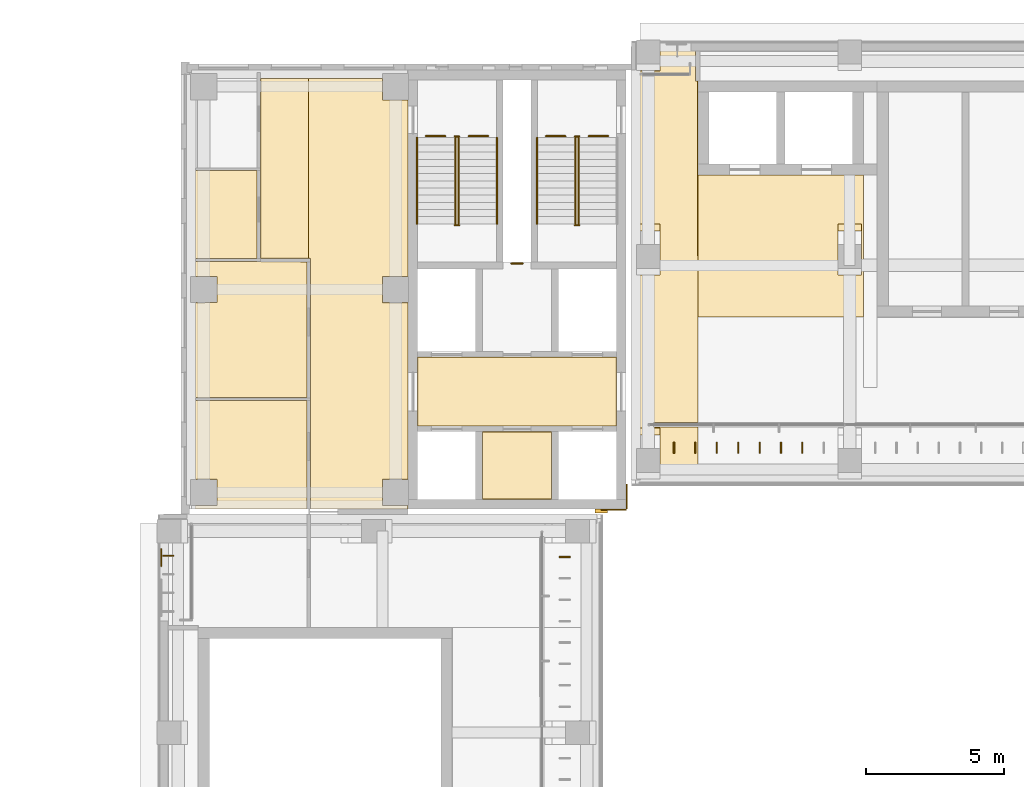
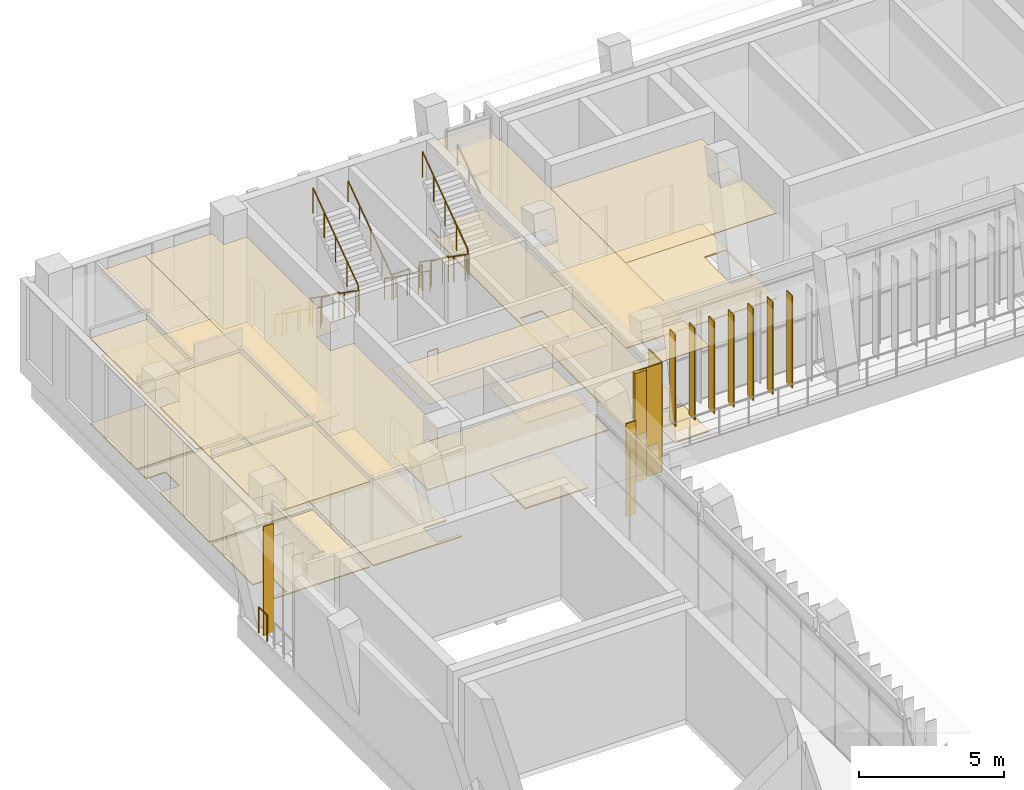
# One storey, part 82 of 92: 21 coverings, 17 railings, 9 shading devices.
"""IFC4 building model written with IfcOpenShell, lengths in metres."""

from ifc_helpers import new_model, si_unit, direction, frame, frame_2d, origin, origin_2d, place, context, subcontext, project, spatial, polyline, rectangle, circle, outline, extrude, material, layer, layer_set, type_object, element, save


model = new_model("IFC4")

# Units and contexts
model_context = context("Model", 3, precision=1e-05, world=origin(), true_north=direction((0.0, 1.0)))
body_context = subcontext(model_context, "Body", "Model", "MODEL_VIEW")
ifc_project = project(units=[si_unit("LENGTHUNIT", "METRE"), si_unit("AREAUNIT", "SQUARE_METRE"), si_unit("VOLUMEUNIT", "CUBIC_METRE"), si_unit("PLANEANGLEUNIT", "RADIAN"), si_unit("MASSUNIT", "GRAM", prefix="KILO")], contexts=[model_context])

# Site, building, storey
site_placement = place(None, origin())
site = spatial("IfcSite", under=ifc_project, at=site_placement, CompositionType="ELEMENT")
building_placement = place(site_placement, origin())
building = spatial("IfcBuilding", under=site, at=building_placement, Name="Lantern Court Media Centre", CompositionType="ELEMENT")
storey_placement = place(building_placement, frame((0.0, 0.0, 4.800048828125)))
storey = spatial("IfcBuildingStorey", under=building, at=storey_placement, Name="L01", CompositionType="ELEMENT", Elevation=4.800048828125)

# Coverings
ifc_material_1 = material(Name="Carpet")
ifc_layer_1 = layer(ifc_material_1, 0.050048828125)
ifc_layer_set_1 = layer_set([ifc_layer_1], Name="Carpet")
covering_type_1 = type_object("IfcCoveringType", Name="Carpet floor finish", PredefinedType="FLOORING", material=ifc_layer_set_1)
covering_1_placement = place(storey_placement, origin())
element("IfcCovering", 1, at=covering_1_placement, inside=storey, type_object=covering_type_1, Name="Production Office 08 floor finish", PredefinedType="FLOORING", context=body_context, shape_type="SweptSolid", body=[
    extrude(outline(polyline([(8.300048828125, 105.06494140625), (12.33251953125, 105.052490234375), (12.33251953125, 100.135009765625), (8.300048828125, 100.135009765625), (8.300048828125, 103.570068359375), (9.080078125, 103.574951171875), (9.079345703125, 104.52734375), (8.300048828125, 104.530029296875), (8.300048828125, 105.06494140625)])), origin(), (0.0, 0.0, 1.0), 0.050048828125),
])
covering_2_placement = place(storey_placement, origin())
element("IfcCovering", 2, at=covering_2_placement, inside=storey, type_object=covering_type_1, Name="Meeting Room 03 floor finish", PredefinedType="FLOORING", context=body_context, shape_type="SweptSolid", body=[
    extrude(outline(polyline([(8.300048828125, 100.02490234375), (12.33251953125, 100.02490234375), (12.33251953125, 96.10009765625), (8.300048828125, 96.10009765625), (8.300048828125, 96.219970703125), (9.080078125, 96.22509765625), (9.078857421875, 97.17822265625), (8.300048828125, 97.179931640625), (8.300048828125, 100.02490234375)])), origin(), (0.0, 0.0, 1.0), 0.050048828125),
])
covering_3_placement = place(storey_placement, origin())
element("IfcCovering", 3, at=covering_3_placement, inside=storey, type_object=covering_type_1, Name="WC Female floor finish", PredefinedType="FLOORING", context=body_context, shape_type="SweptSolid", body=[
    extrude(outline(polyline([(8.300048828125, 108.35498046875), (10.532470703125, 108.35498046875), (10.532470703125, 105.175048828125), (8.300048828125, 105.175048828125), (8.300048828125, 108.35498046875)])), origin(), (0.0, 0.0, 1.0), 0.050048828125),
])
ifc_material_2 = material(Name="Ceramic tile")
ifc_layer_2 = layer(ifc_material_2, 0.050048828125)
ifc_layer_set_2 = layer_set([ifc_layer_2], Name="Ceramic tile")
covering_type_2 = type_object("IfcCoveringType", Name="Ceramic tile floor finish", PredefinedType="FLOORING", material=ifc_layer_set_2)
covering_4_placement = place(storey_placement, origin())
element("IfcCovering", 4, at=covering_4_placement, inside=storey, type_object=covering_type_2, Name="Accessible WC floor finish", PredefinedType="FLOORING", context=body_context, shape_type="SweptSolid", body=[
    extrude(outline(polyline([(21.195068359375, 96.455078125), (18.705078125, 96.455078125), (18.705078125, 98.89501953125), (21.195068359375, 98.89501953125), (21.195068359375, 96.455078125)])), origin(), (0.0, 0.0, 1.0), 0.050048828125),
])

# Railings
ifc_material_3 = material(Name="Powder-coated steel", Category="steel")
railing_type_1 = type_object("IfcRailingType", Name="Floor edge guard 1100", PredefinedType="GUARDRAIL", material=ifc_material_3)
railing_1_placement = place(storey_placement, frame((16.64990234375, 109.609619140625, 0.0)))
element("IfcRailing", 5, at=railing_1_placement, inside=storey, type_object=railing_type_1, Name="L01 opening guard 52", PredefinedType="GUARDRAIL", context=body_context, shape_type="SweptSolid", body=[
    extrude(circle(Radius=0.02392578125, at=origin_2d()), frame((0.0, 0.0, 1.076171875), z_axis=(1.0, 0.0, 0.0), x_axis=(0.0, 1.0, 0.0)), (0.0, 0.0, 1.0), 0.703857421875),
    extrude(circle(Radius=0.02099609375, at=origin_2d()), origin(), (0.0, 0.0, 1.0), 1.052001953125),
    extrude(circle(Radius=0.02099609375, at=origin_2d()), frame((0.703857421875, 0.0, 0.0)), (0.0, 0.0, 1.0), 1.052001953125),
])
for number, where, name in (
    (6, (18.1962890625, 109.609619140625, 0.0), "L01 opening guard 53"),
    (7, (21.0, 109.609619140625, 0.0), "L01 opening guard 54"),
    (8, (22.54638671875, 109.609619140625, 0.0), "L01 opening guard 55"),
):
    element("IfcRailing", number, at=place(storey_placement, frame(where)), inside=storey, type_object=railing_type_1, Name=name, PredefinedType="GUARDRAIL", context=body_context, shape_type="SweptSolid", body=[
        extrude(circle(Radius=0.02392578125, at=origin_2d()), frame((0.0, 0.0, 1.076171875), z_axis=(1.0, 0.0, 0.0), x_axis=(0.0, 1.0, 0.0)), (0.0, 0.0, 1.0), 0.70361328125),
        extrude(circle(Radius=0.02099609375, at=origin_2d()), origin(), (0.0, 0.0, 1.0), 1.052001953125),
        extrude(circle(Radius=0.02099609375, at=origin_2d()), frame((0.70361328125, 0.0, 0.0)), (0.0, 0.0, 1.0), 1.052001953125),
    ])
railing_2_placement = place(storey_placement, frame((20.14990234375, 104.989990234375, 0.0)))
element("IfcRailing", 9, at=railing_2_placement, inside=storey, type_object=railing_type_1, Name="L01 opening guard 56", PredefinedType="GUARDRAIL", context=body_context, shape_type="SweptSolid", body=[
    extrude(circle(Radius=0.02392578125, at=origin_2d()), frame((0.0, 0.0, 1.076171875), z_axis=(-1.0, 0.0, 0.0), x_axis=(0.0, -1.0, 0.0)), (0.0, 0.0, 1.0), 0.39990234375),
    extrude(circle(Radius=0.02099609375, at=origin_2d()), origin(), (0.0, 0.0, 1.0), 1.052001953125),
    extrude(circle(Radius=0.02099609375, at=origin_2d()), frame((-0.39990234375, 0.0, 0.0)), (0.0, 0.0, 1.0), 1.052001953125),
])
railing_3_placement = place(storey_placement, frame((7.06005859375, 94.034912109375, 0.0)))
element("IfcRailing", 10, at=railing_3_placement, inside=storey, type_object=railing_type_1, Name="L01 edge guard 7", PredefinedType="GUARDRAIL", context=body_context, shape_type="SweptSolid", body=[
    extrude(circle(Radius=0.02392578125, at=origin_2d()), frame((0.0, 0.0, 1.076171875), z_axis=(0.0, 1.0, 0.0), x_axis=(-1.0, 0.0, 0.0)), (0.0, 0.0, 1.0), 0.59912109375),
    extrude(circle(Radius=0.02099609375, at=origin_2d()), origin(), (0.0, 0.0, 1.0), 1.052001953125),
    extrude(circle(Radius=0.02099609375, at=origin_2d()), frame((0.0, 0.59912109375, 0.0)), (0.0, 0.0, 1.0), 1.052001953125),
])

# Coverings
ifc_material_4 = material(Name="Honed limestone cladding", Category="masonry")
ifc_layer_3 = layer(ifc_material_4, 0.050048828125)
ifc_layer_set_3 = layer_set([ifc_layer_3], Name="Honed limestone cladding")
covering_type_3 = type_object("IfcCoveringType", Name="Limestone cladding panel 50", PredefinedType="CLADDING", material=ifc_layer_set_3)
for number, where, z_axis, x_axis, name in (
    (11, (23.925048828125, 96.10009765625, 0.0), (0.0, 0.0, 1.0), (0.0, 1.0, 0.0), "Limestone joint cladding N-NW L01"),
    (12, (23.0, 96.074951171875, 0.0), (0.0, 0.0, 1.0), (1.0, 0.0, 0.0), "Limestone joint cladding W-NW L01"),
):
    element("IfcCovering", number, at=place(storey_placement, frame(where, z_axis=z_axis, x_axis=x_axis)), inside=storey, type_object=covering_type_3, Name=name, PredefinedType="CLADDING", context=body_context, shape_type="SweptSolid", body=[
        extrude(rectangle(XDim=0.89990234375, YDim=0.050048828125, at=frame_2d((0.449951171875, 0.0))), origin(), (0.0, 0.0, 1.0), 4.579833984375),
    ])
ifc_layer_4 = layer(ifc_material_4, 0.14990234375)
ifc_layer_set_4 = layer_set([ifc_layer_4], Name="Honed limestone cladding")
covering_type_4 = type_object("IfcCoveringType", Name="Limestone pilaster cladding 150", PredefinedType="CLADDING", material=ifc_layer_set_4)
covering_5_placement = place(storey_placement, frame((22.77490234375, 96.02490234375, 0.0), z_axis=(0.0, 0.0, 1.0), x_axis=(1.0, 0.0, 0.0)))
element("IfcCovering", 13, at=covering_5_placement, inside=storey, type_object=covering_type_4, Name="Limestone pilaster rib", PredefinedType="CLADDING", context=body_context, shape_type="SweptSolid", body=[
    extrude(rectangle(XDim=0.4501953125, YDim=0.14990234375, at=frame_2d((0.22509765625, 0.0))), origin(), (0.0, 0.0, 1.0), 4.579833984375),
])

# Railings
railing_type_2 = type_object("IfcRailingType", Name="Stair guard 1100", PredefinedType="GUARDRAIL", material=ifc_material_3)
railing_4_placement = place(storey_placement, frame((17.72412109375, 109.550048828125, 0.1845703125)))
element("IfcRailing", 14, at=railing_4_placement, inside=storey, type_object=railing_type_2, Name="L01 ST-NWA stair guard 1", PredefinedType="GUARDRAIL", context=body_context, shape_type="SweptSolid", body=[
    extrude(circle(Radius=0.02392578125, at=origin_2d()), frame((0.0, 0.0, 1.076171875), z_axis=(0.0, -0.815376961211, 0.578930402662), x_axis=(1.0, 0.0, 0.0)), (0.0, 0.0, 1.0), 3.82666015625),
    extrude(circle(Radius=0.02099609375, at=origin_2d()), origin(), (0.0, 0.0, 1.0), 1.052001953125),
    extrude(circle(Radius=0.02099609375, at=origin_2d()), frame((0.0, -0.780029296875, 0.5537109375)), (0.0, 0.0, 1.0), 1.052001953125),
    extrude(circle(Radius=0.02099609375, at=origin_2d()), frame((0.0, -1.56005859375, 1.107666015625)), (0.0, 0.0, 1.0), 1.052001953125),
    extrude(circle(Radius=0.02099609375, at=origin_2d()), frame((0.0, -2.340087890625, 1.66162109375)), (0.0, 0.0, 1.0), 1.052001953125),
    extrude(circle(Radius=0.02099609375, at=origin_2d()), frame((0.0, -3.1201171875, 2.21533203125)), (0.0, 0.0, 1.0), 1.052001953125),
])
railing_5_placement = place(storey_placement, frame((17.699951171875, 106.3798828125, 2.39990234375)))
element("IfcRailing", 15, at=railing_5_placement, inside=storey, type_object=railing_type_2, Name="L01 ST-NWA stair guard 2", PredefinedType="GUARDRAIL", context=body_context, shape_type="SweptSolid", body=[
    extrude(circle(Radius=0.02392578125, at=origin_2d()), frame((0.0, 0.0, 1.076171875), z_axis=(1.0, 0.0, 0.0), x_axis=(0.0, 1.0, 0.0)), (0.0, 0.0, 1.0), 0.150146484375),
    extrude(circle(Radius=0.02099609375, at=origin_2d()), origin(), (0.0, 0.0, 1.0), 1.052001953125),
    extrude(circle(Radius=0.02099609375, at=origin_2d()), frame((0.150146484375, 0.0, 0.0)), (0.0, 0.0, 1.0), 1.052001953125),
])
railing_6_placement = place(storey_placement, frame((17.825927734375, 106.429931640625, 2.58447265625)))
element("IfcRailing", 16, at=railing_6_placement, inside=storey, type_object=railing_type_2, Name="L01 ST-NWA stair guard 3", PredefinedType="GUARDRAIL", context=body_context, shape_type="SweptSolid", body=[
    extrude(circle(Radius=0.02392578125, at=origin_2d()), frame((0.0, 0.0, 1.076171875), z_axis=(0.0, 0.815346844174, 0.578972817752), x_axis=(-1.0, 0.0, 0.0)), (0.0, 0.0, 1.0), 3.82666015625),
    extrude(circle(Radius=0.02099609375, at=origin_2d()), origin(), (0.0, 0.0, 1.0), 1.052001953125),
    extrude(circle(Radius=0.02099609375, at=origin_2d()), frame((0.0, 0.780029296875, 0.553955078125)), (0.0, 0.0, 1.0), 1.052001953125),
    extrude(circle(Radius=0.02099609375, at=origin_2d()), frame((0.0, 1.56005859375, 1.10791015625)), (0.0, 0.0, 1.0), 1.052001953125),
    extrude(circle(Radius=0.02099609375, at=origin_2d()), frame((0.0, 2.340087890625, 1.66162109375)), (0.0, 0.0, 1.0), 1.052001953125),
    extrude(circle(Radius=0.02099609375, at=origin_2d()), frame((0.0, 3.1201171875, 2.215576171875)), (0.0, 0.0, 1.0), 1.052001953125),
])
railing_7_placement = place(storey_placement, frame((17.699951171875, 109.60009765625, 0.0)))
element("IfcRailing", 17, at=railing_7_placement, inside=storey, type_object=railing_type_2, Name="L01 ST-NWA stair guard 4", PredefinedType="GUARDRAIL", context=body_context, shape_type="SweptSolid", body=[
    extrude(circle(Radius=0.02392578125, at=origin_2d()), frame((0.0, 0.0, 1.076171875), z_axis=(1.0, 0.0, 0.0), x_axis=(0.0, 1.0, 0.0)), (0.0, 0.0, 1.0), 0.150146484375),
    extrude(circle(Radius=0.02099609375, at=origin_2d()), origin(), (0.0, 0.0, 1.0), 1.052001953125),
    extrude(circle(Radius=0.02099609375, at=origin_2d()), frame((0.150146484375, 0.0, 0.0)), (0.0, 0.0, 1.0), 1.052001953125),
])
railing_8_placement = place(storey_placement, frame((22.073974609375, 109.550048828125, 0.1845703125)))
element("IfcRailing", 18, at=railing_8_placement, inside=storey, type_object=railing_type_2, Name="L01 ST-NWB stair guard 1", PredefinedType="GUARDRAIL", context=body_context, shape_type="SweptSolid", body=[
    extrude(circle(Radius=0.02392578125, at=origin_2d()), frame((0.0, 0.0, 1.076171875), z_axis=(0.0, -0.815376961211, 0.578930402662), x_axis=(1.0, 0.0, 0.0)), (0.0, 0.0, 1.0), 3.82666015625),
    extrude(circle(Radius=0.02099609375, at=origin_2d()), origin(), (0.0, 0.0, 1.0), 1.052001953125),
    extrude(circle(Radius=0.02099609375, at=origin_2d()), frame((0.0, -0.780029296875, 0.5537109375)), (0.0, 0.0, 1.0), 1.052001953125),
    extrude(circle(Radius=0.02099609375, at=origin_2d()), frame((0.0, -1.56005859375, 1.107666015625)), (0.0, 0.0, 1.0), 1.052001953125),
    extrude(circle(Radius=0.02099609375, at=origin_2d()), frame((0.0, -2.340087890625, 1.66162109375)), (0.0, 0.0, 1.0), 1.052001953125),
    extrude(circle(Radius=0.02099609375, at=origin_2d()), frame((0.0, -3.1201171875, 2.21533203125)), (0.0, 0.0, 1.0), 1.052001953125),
])
railing_9_placement = place(storey_placement, frame((22.050048828125, 106.3798828125, 2.39990234375)))
element("IfcRailing", 19, at=railing_9_placement, inside=storey, type_object=railing_type_2, Name="L01 ST-NWB stair guard 2", PredefinedType="GUARDRAIL", context=body_context, shape_type="SweptSolid", body=[
    extrude(circle(Radius=0.02392578125, at=origin_2d()), frame((0.0, 0.0, 1.076171875), z_axis=(1.0, 0.0, 0.0), x_axis=(0.0, 1.0, 0.0)), (0.0, 0.0, 1.0), 0.14990234375),
    extrude(circle(Radius=0.02099609375, at=origin_2d()), origin(), (0.0, 0.0, 1.0), 1.052001953125),
    extrude(circle(Radius=0.02099609375, at=origin_2d()), frame((0.14990234375, 0.0, 0.0)), (0.0, 0.0, 1.0), 1.052001953125),
])
railing_10_placement = place(storey_placement, frame((22.176025390625, 106.429931640625, 2.58447265625)))
element("IfcRailing", 20, at=railing_10_placement, inside=storey, type_object=railing_type_2, Name="L01 ST-NWB stair guard 3", PredefinedType="GUARDRAIL", context=body_context, shape_type="SweptSolid", body=[
    extrude(circle(Radius=0.02392578125, at=origin_2d()), frame((0.0, 0.0, 1.076171875), z_axis=(0.0, 0.815346844174, 0.578972817752), x_axis=(-1.0, 0.0, 0.0)), (0.0, 0.0, 1.0), 3.82666015625),
    extrude(circle(Radius=0.02099609375, at=origin_2d()), origin(), (0.0, 0.0, 1.0), 1.052001953125),
    extrude(circle(Radius=0.02099609375, at=origin_2d()), frame((0.0, 0.780029296875, 0.553955078125)), (0.0, 0.0, 1.0), 1.052001953125),
    extrude(circle(Radius=0.02099609375, at=origin_2d()), frame((0.0, 1.56005859375, 1.10791015625)), (0.0, 0.0, 1.0), 1.052001953125),
    extrude(circle(Radius=0.02099609375, at=origin_2d()), frame((0.0, 2.340087890625, 1.66162109375)), (0.0, 0.0, 1.0), 1.052001953125),
    extrude(circle(Radius=0.02099609375, at=origin_2d()), frame((0.0, 3.1201171875, 2.215576171875)), (0.0, 0.0, 1.0), 1.052001953125),
])
railing_11_placement = place(storey_placement, frame((22.050048828125, 109.60009765625, 0.0)))
element("IfcRailing", 21, at=railing_11_placement, inside=storey, type_object=railing_type_2, Name="L01 ST-NWB stair guard 4", PredefinedType="GUARDRAIL", context=body_context, shape_type="SweptSolid", body=[
    extrude(circle(Radius=0.02392578125, at=origin_2d()), frame((0.0, 0.0, 1.076171875), z_axis=(1.0, 0.0, 0.0), x_axis=(0.0, 1.0, 0.0)), (0.0, 0.0, 1.0), 0.14990234375),
    extrude(circle(Radius=0.02099609375, at=origin_2d()), origin(), (0.0, 0.0, 1.0), 1.052001953125),
    extrude(circle(Radius=0.02099609375, at=origin_2d()), frame((0.14990234375, 0.0, 0.0)), (0.0, 0.0, 1.0), 1.052001953125),
])
railing_type_3 = type_object("IfcRailingType", Name="Stair handrail 900", PredefinedType="HANDRAIL", material=ifc_material_3)
railing_12_placement = place(storey_placement, frame((16.325927734375, 109.550048828125, 0.1845703125)))
element("IfcRailing", 22, at=railing_12_placement, inside=storey, type_object=railing_type_3, Name="L01 ST-NWA stair handrail 1", PredefinedType="HANDRAIL", context=body_context, shape_type="SweptSolid", body=[
    extrude(circle(Radius=0.02392578125, at=origin_2d()), frame((0.0, 0.0, 0.8759765625), z_axis=(0.0, -0.815376961211, 0.578930402662), x_axis=(1.0, 0.0, 0.0)), (0.0, 0.0, 1.0), 3.82666015625),
    extrude(circle(Radius=0.02099609375, at=origin_2d()), origin(), (0.0, 0.0, 1.0), 0.851806640625),
    extrude(circle(Radius=0.02099609375, at=origin_2d()), frame((0.0, -0.780029296875, 0.5537109375)), (0.0, 0.0, 1.0), 0.851806640625),
    extrude(circle(Radius=0.02099609375, at=origin_2d()), frame((0.0, -1.56005859375, 1.107666015625)), (0.0, 0.0, 1.0), 0.851806640625),
    extrude(circle(Radius=0.02099609375, at=origin_2d()), frame((0.0, -2.340087890625, 1.66162109375)), (0.0, 0.0, 1.0), 0.851806640625),
    extrude(circle(Radius=0.02099609375, at=origin_2d()), frame((0.0, -3.1201171875, 2.21533203125)), (0.0, 0.0, 1.0), 0.851806640625),
])
railing_13_placement = place(storey_placement, frame((19.22412109375, 106.429931640625, 2.58447265625)))
element("IfcRailing", 23, at=railing_13_placement, inside=storey, type_object=railing_type_3, Name="L01 ST-NWA stair handrail 2", PredefinedType="HANDRAIL", context=body_context, shape_type="SweptSolid", body=[
    extrude(circle(Radius=0.02392578125, at=origin_2d()), frame((0.0, 0.0, 0.8759765625), z_axis=(0.0, 0.815346844174, 0.578972817752), x_axis=(-1.0, 0.0, 0.0)), (0.0, 0.0, 1.0), 3.82666015625),
    extrude(circle(Radius=0.02099609375, at=origin_2d()), origin(), (0.0, 0.0, 1.0), 0.851806640625),
    extrude(circle(Radius=0.02099609375, at=origin_2d()), frame((0.0, 0.780029296875, 0.553955078125)), (0.0, 0.0, 1.0), 0.851806640625),
    extrude(circle(Radius=0.02099609375, at=origin_2d()), frame((0.0, 1.56005859375, 1.10791015625)), (0.0, 0.0, 1.0), 0.851806640625),
    extrude(circle(Radius=0.02099609375, at=origin_2d()), frame((0.0, 2.340087890625, 1.66162109375)), (0.0, 0.0, 1.0), 0.851806640625),
    extrude(circle(Radius=0.02099609375, at=origin_2d()), frame((0.0, 3.1201171875, 2.215576171875)), (0.0, 0.0, 1.0), 0.851806640625),
])
railing_14_placement = place(storey_placement, frame((20.676025390625, 109.550048828125, 0.1845703125)))
element("IfcRailing", 24, at=railing_14_placement, inside=storey, type_object=railing_type_3, Name="L01 ST-NWB stair handrail 1", PredefinedType="HANDRAIL", context=body_context, shape_type="SweptSolid", body=[
    extrude(circle(Radius=0.02392578125, at=origin_2d()), frame((0.0, 0.0, 0.8759765625), z_axis=(0.0, -0.815376961211, 0.578930402662), x_axis=(1.0, 0.0, 0.0)), (0.0, 0.0, 1.0), 3.82666015625),
    extrude(circle(Radius=0.02099609375, at=origin_2d()), origin(), (0.0, 0.0, 1.0), 0.851806640625),
    extrude(circle(Radius=0.02099609375, at=origin_2d()), frame((0.0, -0.780029296875, 0.5537109375)), (0.0, 0.0, 1.0), 0.851806640625),
    extrude(circle(Radius=0.02099609375, at=origin_2d()), frame((0.0, -1.56005859375, 1.107666015625)), (0.0, 0.0, 1.0), 0.851806640625),
    extrude(circle(Radius=0.02099609375, at=origin_2d()), frame((0.0, -2.340087890625, 1.66162109375)), (0.0, 0.0, 1.0), 0.851806640625),
    extrude(circle(Radius=0.02099609375, at=origin_2d()), frame((0.0, -3.1201171875, 2.21533203125)), (0.0, 0.0, 1.0), 0.851806640625),
])

# Coverings
ifc_material_5 = material(Name="Mineral fibre ceiling tile")
ifc_layer_5 = layer(ifc_material_5, 0.02001953125)
ifc_layer_set_5 = layer_set([ifc_layer_5], Name="Mineral fibre ceiling tile")
covering_type_5 = type_object("IfcCoveringType", Name="Suspended ceiling tile", PredefinedType="CEILING", material=ifc_layer_set_5)
covering_6_placement = place(storey_placement, frame((0.0, 0.0, 3.599853515625)))
element("IfcCovering", 25, at=covering_6_placement, inside=storey, type_object=covering_type_5, Name="End Lobby ceiling", PredefinedType="CEILING", context=body_context, shape_type="SweptSolid", body=[
    extrude(outline(polyline([(26.5, 97.300048828125), (24.10009765625, 97.300048828125), (24.10009765625, 111.99951171875), (24.240478515625, 112.0), (24.240478515625, 112.699951171875), (26.5, 112.699462890625), (26.41943359375, 112.695068359375), (26.41943359375, 111.60498046875), (26.5, 111.6044921875), (26.5, 99.2255859375), (24.8994140625, 99.22509765625), (24.89990234375, 99.074462890625), (26.5, 99.074462890625), (26.5, 97.300048828125)]), holes=[polyline([(25.125, 97.926513671875), (25.125, 98.025390625), (24.2744140625, 98.025146484375), (24.27490234375, 97.926513671875), (25.125, 97.926513671875)]), polyline([(25.125, 105.574462890625), (25.125244140625, 106.177490234375), (24.274658203125, 106.17724609375), (24.274658203125, 105.574462890625), (25.125, 105.574462890625)]), polyline([(25.125, 105.32666015625), (25.125, 105.425537109375), (24.2744140625, 105.425048828125), (24.27490234375, 105.32666015625), (25.125, 105.32666015625)]), polyline([(25.125, 98.174560546875), (25.125244140625, 98.777587890625), (24.274658203125, 98.77734375), (24.274658203125, 98.174560546875), (25.125, 98.174560546875)])]), origin(), (0.0, 0.0, 1.0), 0.02001953125),
])
covering_7_placement = place(storey_placement, frame((0.0, 0.0, 3.599853515625)))
element("IfcCovering", 26, at=covering_7_placement, inside=storey, type_object=covering_type_5, Name="Lift Lobby ceiling", PredefinedType="CEILING", context=body_context, shape_type="SweptSolid", body=[
    extrude(outline(polyline([(32.5, 103.050048828125), (26.5, 103.050048828125), (26.5, 108.199462890625), (32.5, 108.199462890625), (32.5, 103.050048828125)]), holes=[polyline([(32.425048828125, 105.574462890625), (32.42529296875, 106.177490234375), (31.574462890625, 106.17724609375), (31.57470703125, 105.574462890625), (32.425048828125, 105.574462890625)]), polyline([(32.425048828125, 105.32666015625), (32.425048828125, 105.425537109375), (31.574462890625, 105.425048828125), (31.574951171875, 105.32666015625), (32.425048828125, 105.32666015625)])]), origin(), (0.0, 0.0, 1.0), 0.02001953125),
])
covering_8_placement = place(storey_placement, frame((0.0, 0.0, 3.599853515625)))
element("IfcCovering", 27, at=covering_8_placement, inside=storey, type_object=covering_type_5, Name="Lift Lobby ceiling", PredefinedType="CEILING", context=body_context, shape_type="SweptSolid", body=[
    extrude(outline(polyline([(16.3505859375, 99.1005859375), (16.3505859375, 101.599609375), (23.549560546875, 101.599609375), (23.549560546875, 99.1005859375), (16.3505859375, 99.1005859375)])), origin(), (0.0, 0.0, 1.0), 0.02001953125),
])
covering_9_placement = place(storey_placement, frame((0.0, 0.0, 3.599853515625)))
element("IfcCovering", 28, at=covering_9_placement, inside=storey, type_object=covering_type_5, Name="Accessible WC ceiling", PredefinedType="CEILING", context=body_context, shape_type="SweptSolid", body=[
    extrude(outline(polyline([(18.700439453125, 98.8994140625), (21.199462890625, 98.8994140625), (21.199462890625, 96.450439453125), (18.700439453125, 96.450439453125), (18.700439453125, 98.8994140625)])), origin(), (0.0, 0.0, 1.0), 0.02001953125),
])
covering_10_placement = place(storey_placement, frame((0.0, 0.0, 3.599853515625)))
element("IfcCovering", 29, at=covering_10_placement, inside=storey, type_object=covering_type_5, Name="Corridor ceiling", PredefinedType="CEILING", context=body_context, shape_type="SweptSolid", body=[
    extrude(outline(polyline([(12.39990234375, 111.699951171875), (15.074462890625, 111.699951171875), (15.07470703125, 110.924560546875), (15.99951171875, 110.924560546875), (15.99951171875, 104.525390625), (15.074462890625, 104.52490234375), (15.07470703125, 103.57470703125), (15.99951171875, 103.574462890625), (15.99951171875, 97.175537109375), (15.07470703125, 97.17529296875), (15.074462890625, 96.224853515625), (15.99951171875, 96.224609375), (15.99951171875, 96.1005859375), (12.462890625, 96.1005859375), (12.462890625, 105.1826171875), (12.39990234375, 105.18310546875), (12.39990234375, 111.699951171875)])), origin(), (0.0, 0.0, 1.0), 0.02001953125),
])
covering_11_placement = place(storey_placement, frame((0.0, 0.0, 3.599853515625)))
element("IfcCovering", 30, at=covering_11_placement, inside=storey, type_object=covering_type_5, Name="Production Office 08 ceiling", PredefinedType="CEILING", context=body_context, shape_type="SweptSolid", body=[
    extrude(outline(polyline([(8.300048828125, 105.069580078125), (12.3369140625, 105.056884765625), (12.3369140625, 100.130615234375), (8.300048828125, 100.130615234375), (8.300048828125, 103.574462890625), (9.075439453125, 103.574951171875), (9.075439453125, 104.525146484375), (8.300048828125, 104.525390625), (8.300048828125, 105.069580078125)])), origin(), (0.0, 0.0, 1.0), 0.02001953125),
])
covering_12_placement = place(storey_placement, frame((0.0, 0.0, 3.599853515625)))
element("IfcCovering", 31, at=covering_12_placement, inside=storey, type_object=covering_type_5, Name="Meeting Room 03 ceiling", PredefinedType="CEILING", context=body_context, shape_type="SweptSolid", body=[
    extrude(outline(polyline([(8.300048828125, 100.029541015625), (12.3369140625, 100.029541015625), (12.3369140625, 96.10009765625), (8.300048828125, 96.10009765625), (8.300048828125, 96.224609375), (9.075439453125, 96.22509765625), (9.075439453125, 97.17529296875), (8.300048828125, 97.175537109375), (8.300048828125, 100.029541015625)])), origin(), (0.0, 0.0, 1.0), 0.02001953125),
])
covering_13_placement = place(storey_placement, frame((0.0, 0.0, 3.599853515625)))
element("IfcCovering", 32, at=covering_13_placement, inside=storey, type_object=covering_type_5, Name="WC Lobby ceiling", PredefinedType="CEILING", context=body_context, shape_type="SweptSolid", body=[
    extrude(outline(polyline([(12.39990234375, 111.699951171875), (12.39990234375, 105.18310546875), (10.6630859375, 105.18310546875), (10.6630859375, 111.699951171875), (12.39990234375, 111.699951171875)])), origin(), (0.0, 0.0, 1.0), 0.02001953125),
])
covering_14_placement = place(storey_placement, frame((0.0, 0.0, 3.599853515625)))
element("IfcCovering", 33, at=covering_14_placement, inside=storey, type_object=covering_type_5, Name="WC Female ceiling", PredefinedType="CEILING", context=body_context, shape_type="SweptSolid", body=[
    extrude(outline(polyline([(8.300048828125, 108.359619140625), (10.537109375, 108.359619140625), (10.537109375, 105.17041015625), (8.300048828125, 105.17041015625), (8.300048828125, 108.359619140625)])), origin(), (0.0, 0.0, 1.0), 0.02001953125),
])
ifc_material_6 = material(Name="Terrazzo")
ifc_layer_6 = layer(ifc_material_6, 0.050048828125)
ifc_layer_set_6 = layer_set([ifc_layer_6], Name="Terrazzo")
covering_type_6 = type_object("IfcCoveringType", Name="Terrazzo floor finish", PredefinedType="FLOORING", material=ifc_layer_set_6)
covering_15_placement = place(storey_placement, origin())
element("IfcCovering", 34, at=covering_15_placement, inside=storey, type_object=covering_type_6, Name="End Lobby floor finish", PredefinedType="FLOORING", context=body_context, shape_type="SweptSolid", body=[
    extrude(outline(polyline([(26.5, 97.300048828125), (25.1298828125, 97.300048828125), (25.125, 99.030029296875), (24.2705078125, 99.02734375), (24.27001953125, 97.300048828125), (24.10009765625, 97.300048828125), (24.10009765625, 111.9951171875), (24.244873046875, 111.9990234375), (24.2451171875, 112.699951171875), (24.27001953125, 112.699951171875), (24.27490234375, 111.969970703125), (25.128173828125, 111.97119140625), (25.1298828125, 112.699951171875), (26.4150390625, 112.695068359375), (26.4150390625, 111.6044921875), (26.4951171875, 111.60009765625), (26.5, 99.22998046875), (24.8994140625, 99.22998046875), (24.89501953125, 99.074951171875), (26.5, 99.070068359375), (26.5, 97.300048828125)]), holes=[polyline([(24.27001953125, 104.574951171875), (25.129638671875, 104.572998046875), (25.126953125, 106.4296875), (24.270263671875, 106.427001953125), (24.27001953125, 104.574951171875)])]), origin(), (0.0, 0.0, 1.0), 0.050048828125),
])
covering_16_placement = place(storey_placement, origin())
element("IfcCovering", 35, at=covering_16_placement, inside=storey, type_object=covering_type_6, Name="Lift Lobby floor finish", PredefinedType="FLOORING", context=body_context, shape_type="SweptSolid", body=[
    extrude(outline(polyline([(32.5, 103.050048828125), (26.5, 103.050048828125), (26.5, 108.195068359375), (32.5, 108.195068359375), (32.5, 103.050048828125)]), holes=[polyline([(31.570068359375, 104.574951171875), (32.4296875, 104.572998046875), (32.427001953125, 106.4296875), (31.5703125, 106.427001953125), (31.570068359375, 104.574951171875)])]), origin(), (0.0, 0.0, 1.0), 0.050048828125),
])
covering_17_placement = place(storey_placement, origin())
element("IfcCovering", 36, at=covering_17_placement, inside=storey, type_object=covering_type_6, Name="Lift Lobby floor finish", PredefinedType="FLOORING", context=body_context, shape_type="SweptSolid", body=[
    extrude(outline(polyline([(16.35498046875, 99.10498046875), (16.35498046875, 101.594970703125), (23.544921875, 101.594970703125), (23.544921875, 99.10498046875), (16.35498046875, 99.10498046875)])), origin(), (0.0, 0.0, 1.0), 0.050048828125),
])
covering_18_placement = place(storey_placement, origin())
element("IfcCovering", 37, at=covering_18_placement, inside=storey, type_object=covering_type_6, Name="Corridor floor finish", PredefinedType="FLOORING", context=body_context, shape_type="SweptSolid", body=[
    extrude(outline(polyline([(12.39990234375, 111.699951171875), (15.070068359375, 111.699951171875), (15.07177734375, 110.921142578125), (15.9951171875, 110.919921875), (15.9951171875, 104.530029296875), (15.070068359375, 104.52490234375), (15.071533203125, 103.571533203125), (15.9951171875, 103.570068359375), (15.9951171875, 97.179931640625), (15.071533203125, 97.178466796875), (15.070068359375, 96.224609375), (15.9951171875, 96.219970703125), (15.9951171875, 96.10498046875), (12.467529296875, 96.10498046875), (12.467529296875, 105.1826171875), (12.39990234375, 105.1875), (12.39990234375, 111.699951171875)])), origin(), (0.0, 0.0, 1.0), 0.050048828125),
])
covering_19_placement = place(storey_placement, origin())
element("IfcCovering", 38, at=covering_19_placement, inside=storey, type_object=covering_type_6, Name="WC Lobby floor finish", PredefinedType="FLOORING", context=body_context, shape_type="SweptSolid", body=[
    extrude(outline(polyline([(12.39990234375, 111.699951171875), (12.39990234375, 105.1875), (10.66748046875, 105.1875), (10.66748046875, 111.699951171875), (12.39990234375, 111.699951171875)])), origin(), (0.0, 0.0, 1.0), 0.050048828125),
])

# Shading devices
ifc_material_7 = material(Name="Bronze anodised aluminium louvre", Category="aluminium")
ifc_layer_7 = layer(ifc_material_7, 0.0400390625)
ifc_layer_set_7 = layer_set([ifc_layer_7], Name="Bronze anodised aluminium louvre")
shading_device_type_1 = type_object("IfcShadingDeviceType", Name="Vertical louvre 40x400 full storey", PredefinedType="USERDEFINED", material=ifc_layer_set_7)
shading_device_1_placement = place(storey_placement, frame((7.320068359375, 94.41259765625, 0.0), z_axis=(0.0, 0.0, 1.0), x_axis=(1.0, 0.0, 0.0)))
element("IfcShadingDevice", 39, at=shading_device_1_placement, inside=storey, type_object=shading_device_type_1, Name="Vertical louvre W outer L01", ObjectType="VERTICAL LOUVRE", PredefinedType="USERDEFINED", context=body_context, shape_type="SweptSolid", body=[
    extrude(rectangle(XDim=0.39990234375, YDim=0.0400390625, at=origin_2d()), origin(), (0.0, 0.0, 1.0), 4.580078125),
])
ifc_layer_8 = layer(ifc_material_7, 0.0400390625)
ifc_layer_set_8 = layer_set([ifc_layer_8], Name="Bronze anodised aluminium louvre")
shading_device_type_2 = type_object("IfcShadingDeviceType", Name="Vertical louvre 40x400 under beam", PredefinedType="USERDEFINED", material=ifc_layer_set_8)
for number, where, z_axis, x_axis, name in (
    (40, (25.637451171875, 98.320068359375, 0.0), (0.0, 0.0, 1.0), (1.0, 0.0, 0.0), "Vertical louvre N inner L01"),
    (41, (26.41259765625, 98.320068359375, 0.0), (0.0, 0.0, 1.0), (1.0, 0.0, 0.0), "Vertical louvre N inner L01"),
    (42, (27.1875, 98.320068359375, 0.0), (0.0, 0.0, 1.0), (1.0, 0.0, 0.0), "Vertical louvre N inner L01"),
    (43, (27.96240234375, 98.320068359375, 0.0), (0.0, 0.0, 1.0), (1.0, 0.0, 0.0), "Vertical louvre N inner L01"),
    (44, (28.737548828125, 98.320068359375, 0.0), (0.0, 0.0, 1.0), (1.0, 0.0, 0.0), "Vertical louvre N inner L01"),
    (45, (29.512451171875, 98.320068359375, 0.0), (0.0, 0.0, 1.0), (1.0, 0.0, 0.0), "Vertical louvre N inner L01"),
    (46, (30.28759765625, 98.320068359375, 0.0), (0.0, 0.0, 1.0), (1.0, 0.0, 0.0), "Vertical louvre N inner L01"),
):
    element("IfcShadingDevice", number, at=place(storey_placement, frame(where, z_axis=z_axis, x_axis=x_axis)), inside=storey, type_object=shading_device_type_2, Name=name, ObjectType="VERTICAL LOUVRE", PredefinedType="USERDEFINED", context=body_context, shape_type="SweptSolid", body=[
        extrude(rectangle(XDim=0.0400390625, YDim=0.39990234375, at=origin_2d()), origin(), (0.0, 0.0, 1.0), 3.89990234375),
    ])
shading_device_2_placement = place(storey_placement, frame((21.679931640625, 94.362548828125, 0.0), z_axis=(0.0, 0.0, 1.0), x_axis=(1.0, 0.0, 0.0)))
element("IfcShadingDevice", 47, at=shading_device_2_placement, inside=storey, type_object=shading_device_type_2, Name="Vertical louvre W inner L01", ObjectType="VERTICAL LOUVRE", PredefinedType="USERDEFINED", context=body_context, shape_type="SweptSolid", body=[
    extrude(rectangle(XDim=0.39990234375, YDim=0.0400390625, at=origin_2d()), origin(), (0.0, 0.0, 1.0), 3.89990234375),
])

save(model, "model.ifc")
